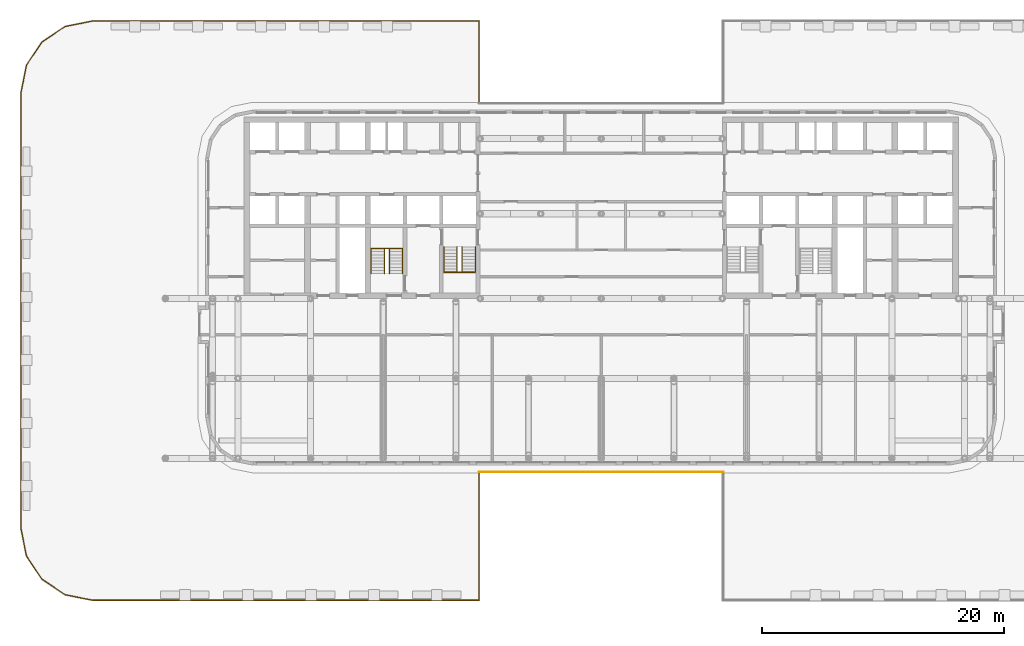
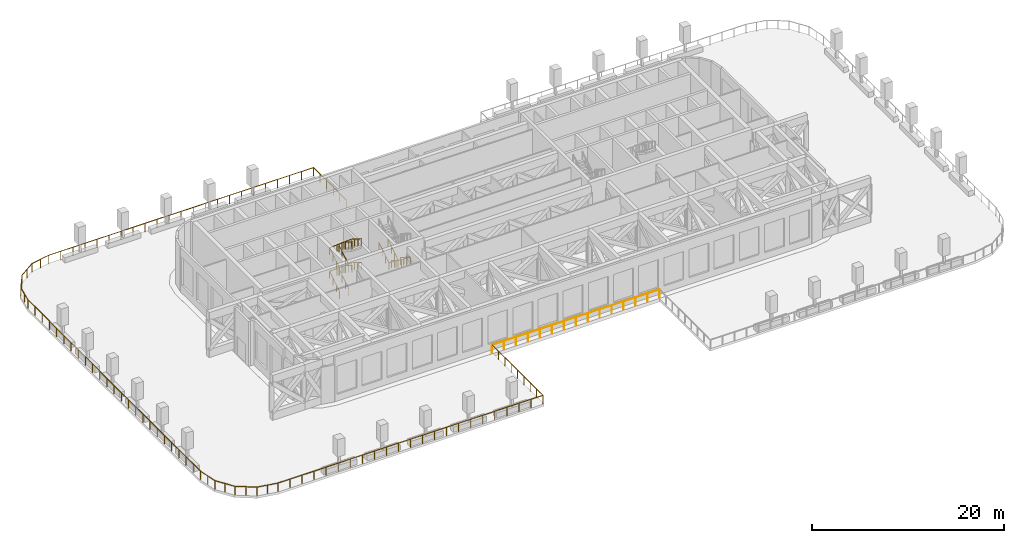
# One storey, part 17 of 20: 8 railings.
"""IFC4 building model written with IfcOpenShell, lengths in metres."""

from ifc_helpers import new_model, si_unit, direction, frame, origin, origin_2d, place, context, subcontext, project, spatial, circle, extrude, material, type_object, element, save


model = new_model("IFC4")

# Units and contexts
model_context = context("Model", 3, precision=1e-05, world=origin(), true_north=direction((0.0, 1.0)))
body_context = subcontext(model_context, "Body", "Model", "MODEL_VIEW")
ifc_project = project(units=[si_unit("LENGTHUNIT", "METRE"), si_unit("AREAUNIT", "SQUARE_METRE"), si_unit("VOLUMEUNIT", "CUBIC_METRE"), si_unit("PLANEANGLEUNIT", "RADIAN"), si_unit("MASSUNIT", "GRAM", prefix="KILO")], contexts=[model_context])

# Site, building, storey
site_placement = place(None, origin())
site = spatial("IfcSite", under=ifc_project, at=site_placement, CompositionType="ELEMENT")
building_placement = place(site_placement, origin())
building = spatial("IfcBuilding", under=site, at=building_placement, Name="Torana Hotel and Residences", CompositionType="ELEMENT")
storey_placement = place(building_placement, frame((0.0, 0.0, 18.0)))
storey = spatial("IfcBuildingStorey", under=building, at=storey_placement, Name="L03", CompositionType="ELEMENT", Elevation=18.0)

# Railings
ifc_material_1 = material(Name="Laminated glass balustrade with black handrail", Category="glass")
railing_type_1 = type_object("IfcRailingType", Name="GR1 BALCONY GUARD 1100 GLASS", PredefinedType="GUARDRAIL", material=ifc_material_1)
railing_1_placement = place(storey_placement, frame((-10.080078125, -29.321044921875, 0.0)))
element("IfcRailing", 1, at=railing_1_placement, inside=storey, type_object=railing_type_1, Name="Terrace guard L03 1", PredefinedType="GUARDRAIL", context=body_context, shape_type="SweptSolid", body=[
    extrude(circle(Radius=0.02392578125, at=origin_2d()), frame((0.0, 0.0, 1.076171875), z_axis=(0.0, -1.0, 0.0), x_axis=(1.0, 0.0, 0.0)), (0.0, 0.0, 1.0), 10.598876953125),
    extrude(circle(Radius=0.02392578125, at=origin_2d()), frame((0.0, -10.598876953125, 1.076171875), z_axis=(-1.0, 0.0, 0.0), x_axis=(0.0, -1.0, 0.0)), (0.0, 0.0, 1.0), 31.912109375),
    extrude(circle(Radius=0.02392578125, at=origin_2d()), frame((-31.912109375, -10.598876953125, 1.076171875), z_axis=(-0.980798890488, 0.195021887023, 0.0), x_axis=(-0.195021887023, -0.980798890488, 0.0)), (0.0, 0.0, 1.0), 2.317138671875),
    extrude(circle(Radius=0.02392578125, at=origin_2d()), frame((-34.184814453125, -10.14697265625, 1.076171875), z_axis=(-0.831399124079, 0.555675711617, 0.0), x_axis=(-0.555675711617, -0.831399124079, 0.0)), (0.0, 0.0, 1.0), 2.309326171875),
    extrude(circle(Radius=0.02392578125, at=origin_2d()), frame((-36.104736328125, -8.86376953125, 1.076171875), z_axis=(-0.555675711617, 0.831399124079, 0.0), x_axis=(-0.831399124079, -0.555675711617, 0.0)), (0.0, 0.0, 1.0), 2.309326171875),
    extrude(circle(Radius=0.02392578125, at=origin_2d()), frame((-37.387939453125, -6.94384765625, 1.076171875), z_axis=(-0.195021887023, 0.980798890488, 0.0), x_axis=(-0.980798890488, -0.195021887023, 0.0)), (0.0, 0.0, 1.0), 2.317138671875),
    extrude(circle(Radius=0.02392578125, at=origin_2d()), frame((-37.83984375, -4.671142578125, 1.076171875), z_axis=(0.0, 1.0, 0.0), x_axis=(-1.0, 0.0, 0.0)), (0.0, 0.0, 1.0), 35.984375),
    extrude(circle(Radius=0.02392578125, at=origin_2d()), frame((-37.83984375, 31.313232421875, 1.076171875), z_axis=(0.195021887023, 0.980798890488, 0.0), x_axis=(-0.980798890488, 0.195021887023, 0.0)), (0.0, 0.0, 1.0), 2.317138671875),
    extrude(circle(Radius=0.02392578125, at=origin_2d()), frame((-37.387939453125, 33.5859375, 1.076171875), z_axis=(0.555675711617, 0.831399124079, 0.0), x_axis=(-0.831399124079, 0.555675711617, 0.0)), (0.0, 0.0, 1.0), 2.309326171875),
    extrude(circle(Radius=0.02392578125, at=origin_2d()), frame((-36.104736328125, 35.505859375, 1.076171875), z_axis=(0.831399124079, 0.555675711617, 0.0), x_axis=(-0.555675711617, 0.831399124079, 0.0)), (0.0, 0.0, 1.0), 2.309326171875),
    extrude(circle(Radius=0.02392578125, at=origin_2d()), frame((-34.184814453125, 36.7890625, 1.076171875), z_axis=(0.980798890488, 0.195021887023, 0.0), x_axis=(-0.195021887023, 0.980798890488, 0.0)), (0.0, 0.0, 1.0), 2.317138671875),
    extrude(circle(Radius=0.02392578125, at=origin_2d()), frame((-31.912109375, 37.240966796875, 1.076171875), z_axis=(1.0, 0.0, 0.0), x_axis=(0.0, 1.0, 0.0)), (0.0, 0.0, 1.0), 31.912109375),
    extrude(circle(Radius=0.02392578125, at=origin_2d()), frame((0.0, 37.240966796875, 1.076171875), z_axis=(0.0, -1.0, 0.0), x_axis=(1.0, 0.0, 0.0)), (0.0, 0.0, 1.0), 6.798828125),
    extrude(circle(Radius=0.02099609375, at=origin_2d()), origin(), (0.0, 0.0, 1.0), 1.052001953125),
    extrude(circle(Radius=0.02099609375, at=origin_2d()), frame((0.0, -1.324951171875, 0.0)), (0.0, 0.0, 1.0), 1.052001953125),
    extrude(circle(Radius=0.02099609375, at=origin_2d()), frame((0.0, -2.649658203125, 0.0)), (0.0, 0.0, 1.0), 1.052001953125),
    extrude(circle(Radius=0.02099609375, at=origin_2d()), frame((0.0, -3.974609375, 0.0)), (0.0, 0.0, 1.0), 1.052001953125),
    extrude(circle(Radius=0.02099609375, at=origin_2d()), frame((0.0, -5.29931640625, 0.0)), (0.0, 0.0, 1.0), 1.052001953125),
    extrude(circle(Radius=0.02099609375, at=origin_2d()), frame((0.0, -6.624267578125, 0.0)), (0.0, 0.0, 1.0), 1.052001953125),
    extrude(circle(Radius=0.02099609375, at=origin_2d()), frame((0.0, -7.94921875, 0.0)), (0.0, 0.0, 1.0), 1.052001953125),
    extrude(circle(Radius=0.02099609375, at=origin_2d()), frame((0.0, -9.27392578125, 0.0)), (0.0, 0.0, 1.0), 1.052001953125),
    extrude(circle(Radius=0.02099609375, at=origin_2d()), frame((0.0, -10.598876953125, 0.0)), (0.0, 0.0, 1.0), 1.052001953125),
    extrude(circle(Radius=0.02099609375, at=origin_2d()), frame((-1.450439453125, -10.598876953125, 0.0)), (0.0, 0.0, 1.0), 1.052001953125),
    extrude(circle(Radius=0.02099609375, at=origin_2d()), frame((-2.901123046875, -10.598876953125, 0.0)), (0.0, 0.0, 1.0), 1.052001953125),
    extrude(circle(Radius=0.02099609375, at=origin_2d()), frame((-4.3515625, -10.598876953125, 0.0)), (0.0, 0.0, 1.0), 1.052001953125),
    extrude(circle(Radius=0.02099609375, at=origin_2d()), frame((-5.80224609375, -10.598876953125, 0.0)), (0.0, 0.0, 1.0), 1.052001953125),
    extrude(circle(Radius=0.02099609375, at=origin_2d()), frame((-7.252685546875, -10.598876953125, 0.0)), (0.0, 0.0, 1.0), 1.052001953125),
    extrude(circle(Radius=0.02099609375, at=origin_2d()), frame((-8.703369140625, -10.598876953125, 0.0)), (0.0, 0.0, 1.0), 1.052001953125),
    extrude(circle(Radius=0.02099609375, at=origin_2d()), frame((-10.15380859375, -10.598876953125, 0.0)), (0.0, 0.0, 1.0), 1.052001953125),
    extrude(circle(Radius=0.02099609375, at=origin_2d()), frame((-11.6044921875, -10.598876953125, 0.0)), (0.0, 0.0, 1.0), 1.052001953125),
    extrude(circle(Radius=0.02099609375, at=origin_2d()), frame((-13.054931640625, -10.598876953125, 0.0)), (0.0, 0.0, 1.0), 1.052001953125),
    extrude(circle(Radius=0.02099609375, at=origin_2d()), frame((-14.505615234375, -10.598876953125, 0.0)), (0.0, 0.0, 1.0), 1.052001953125),
    extrude(circle(Radius=0.02099609375, at=origin_2d()), frame((-15.9560546875, -10.598876953125, 0.0)), (0.0, 0.0, 1.0), 1.052001953125),
    extrude(circle(Radius=0.02099609375, at=origin_2d()), frame((-17.406494140625, -10.598876953125, 0.0)), (0.0, 0.0, 1.0), 1.052001953125),
    extrude(circle(Radius=0.02099609375, at=origin_2d()), frame((-18.857177734375, -10.598876953125, 0.0)), (0.0, 0.0, 1.0), 1.052001953125),
    extrude(circle(Radius=0.02099609375, at=origin_2d()), frame((-20.3076171875, -10.598876953125, 0.0)), (0.0, 0.0, 1.0), 1.052001953125),
    extrude(circle(Radius=0.02099609375, at=origin_2d()), frame((-21.75830078125, -10.598876953125, 0.0)), (0.0, 0.0, 1.0), 1.052001953125),
    extrude(circle(Radius=0.02099609375, at=origin_2d()), frame((-23.208740234375, -10.598876953125, 0.0)), (0.0, 0.0, 1.0), 1.052001953125),
    extrude(circle(Radius=0.02099609375, at=origin_2d()), frame((-24.659423828125, -10.598876953125, 0.0)), (0.0, 0.0, 1.0), 1.052001953125),
    extrude(circle(Radius=0.02099609375, at=origin_2d()), frame((-26.10986328125, -10.598876953125, 0.0)), (0.0, 0.0, 1.0), 1.052001953125),
    extrude(circle(Radius=0.02099609375, at=origin_2d()), frame((-27.560546875, -10.598876953125, 0.0)), (0.0, 0.0, 1.0), 1.052001953125),
    extrude(circle(Radius=0.02099609375, at=origin_2d()), frame((-29.010986328125, -10.598876953125, 0.0)), (0.0, 0.0, 1.0), 1.052001953125),
    extrude(circle(Radius=0.02099609375, at=origin_2d()), frame((-30.461669921875, -10.598876953125, 0.0)), (0.0, 0.0, 1.0), 1.052001953125),
    extrude(circle(Radius=0.02099609375, at=origin_2d()), frame((-31.912109375, -10.598876953125, 0.0)), (0.0, 0.0, 1.0), 1.052001953125),
    extrude(circle(Radius=0.02099609375, at=origin_2d()), frame((-33.04833984375, -10.373046875, 0.0)), (0.0, 0.0, 1.0), 1.052001953125),
    extrude(circle(Radius=0.02099609375, at=origin_2d()), frame((-34.184814453125, -10.14697265625, 0.0)), (0.0, 0.0, 1.0), 1.052001953125),
    extrude(circle(Radius=0.02099609375, at=origin_2d()), frame((-35.144775390625, -9.50537109375, 0.0)), (0.0, 0.0, 1.0), 1.052001953125),
    extrude(circle(Radius=0.02099609375, at=origin_2d()), frame((-36.104736328125, -8.86376953125, 0.0)), (0.0, 0.0, 1.0), 1.052001953125),
    extrude(circle(Radius=0.02099609375, at=origin_2d()), frame((-36.746337890625, -7.90380859375, 0.0)), (0.0, 0.0, 1.0), 1.052001953125),
    extrude(circle(Radius=0.02099609375, at=origin_2d()), frame((-37.387939453125, -6.94384765625, 0.0)), (0.0, 0.0, 1.0), 1.052001953125),
    extrude(circle(Radius=0.02099609375, at=origin_2d()), frame((-37.61376953125, -5.8076171875, 0.0)), (0.0, 0.0, 1.0), 1.052001953125),
    extrude(circle(Radius=0.02099609375, at=origin_2d()), frame((-37.83984375, -4.671142578125, 0.0)), (0.0, 0.0, 1.0), 1.052001953125),
    extrude(circle(Radius=0.02099609375, at=origin_2d()), frame((-37.83984375, -3.171875, 0.0)), (0.0, 0.0, 1.0), 1.052001953125),
    extrude(circle(Radius=0.02099609375, at=origin_2d()), frame((-37.83984375, -1.67236328125, 0.0)), (0.0, 0.0, 1.0), 1.052001953125),
    extrude(circle(Radius=0.02099609375, at=origin_2d()), frame((-37.83984375, -0.173095703125, 0.0)), (0.0, 0.0, 1.0), 1.052001953125),
    extrude(circle(Radius=0.02099609375, at=origin_2d()), frame((-37.83984375, 1.326171875, 0.0)), (0.0, 0.0, 1.0), 1.052001953125),
    extrude(circle(Radius=0.02099609375, at=origin_2d()), frame((-37.83984375, 2.82568359375, 0.0)), (0.0, 0.0, 1.0), 1.052001953125),
    extrude(circle(Radius=0.02099609375, at=origin_2d()), frame((-37.83984375, 4.324951171875, 0.0)), (0.0, 0.0, 1.0), 1.052001953125),
    extrude(circle(Radius=0.02099609375, at=origin_2d()), frame((-37.83984375, 5.82421875, 0.0)), (0.0, 0.0, 1.0), 1.052001953125),
    extrude(circle(Radius=0.02099609375, at=origin_2d()), frame((-37.83984375, 7.32373046875, 0.0)), (0.0, 0.0, 1.0), 1.052001953125),
    extrude(circle(Radius=0.02099609375, at=origin_2d()), frame((-37.83984375, 8.822998046875, 0.0)), (0.0, 0.0, 1.0), 1.052001953125),
    extrude(circle(Radius=0.02099609375, at=origin_2d()), frame((-37.83984375, 10.322265625, 0.0)), (0.0, 0.0, 1.0), 1.052001953125),
    extrude(circle(Radius=0.02099609375, at=origin_2d()), frame((-37.83984375, 11.82177734375, 0.0)), (0.0, 0.0, 1.0), 1.052001953125),
    extrude(circle(Radius=0.02099609375, at=origin_2d()), frame((-37.83984375, 13.321044921875, 0.0)), (0.0, 0.0, 1.0), 1.052001953125),
    extrude(circle(Radius=0.02099609375, at=origin_2d()), frame((-37.83984375, 14.8203125, 0.0)), (0.0, 0.0, 1.0), 1.052001953125),
    extrude(circle(Radius=0.02099609375, at=origin_2d()), frame((-37.83984375, 16.31982421875, 0.0)), (0.0, 0.0, 1.0), 1.052001953125),
    extrude(circle(Radius=0.02099609375, at=origin_2d()), frame((-37.83984375, 17.819091796875, 0.0)), (0.0, 0.0, 1.0), 1.052001953125),
    extrude(circle(Radius=0.02099609375, at=origin_2d()), frame((-37.83984375, 19.318359375, 0.0)), (0.0, 0.0, 1.0), 1.052001953125),
    extrude(circle(Radius=0.02099609375, at=origin_2d()), frame((-37.83984375, 20.81787109375, 0.0)), (0.0, 0.0, 1.0), 1.052001953125),
    extrude(circle(Radius=0.02099609375, at=origin_2d()), frame((-37.83984375, 22.317138671875, 0.0)), (0.0, 0.0, 1.0), 1.052001953125),
    extrude(circle(Radius=0.02099609375, at=origin_2d()), frame((-37.83984375, 23.81640625, 0.0)), (0.0, 0.0, 1.0), 1.052001953125),
    extrude(circle(Radius=0.02099609375, at=origin_2d()), frame((-37.83984375, 25.31591796875, 0.0)), (0.0, 0.0, 1.0), 1.052001953125),
    extrude(circle(Radius=0.02099609375, at=origin_2d()), frame((-37.83984375, 26.815185546875, 0.0)), (0.0, 0.0, 1.0), 1.052001953125),
    extrude(circle(Radius=0.02099609375, at=origin_2d()), frame((-37.83984375, 28.314453125, 0.0)), (0.0, 0.0, 1.0), 1.052001953125),
    extrude(circle(Radius=0.02099609375, at=origin_2d()), frame((-37.83984375, 29.81396484375, 0.0)), (0.0, 0.0, 1.0), 1.052001953125),
    extrude(circle(Radius=0.02099609375, at=origin_2d()), frame((-37.83984375, 31.313232421875, 0.0)), (0.0, 0.0, 1.0), 1.052001953125),
    extrude(circle(Radius=0.02099609375, at=origin_2d()), frame((-37.61376953125, 32.44970703125, 0.0)), (0.0, 0.0, 1.0), 1.052001953125),
    extrude(circle(Radius=0.02099609375, at=origin_2d()), frame((-37.387939453125, 33.5859375, 0.0)), (0.0, 0.0, 1.0), 1.052001953125),
    extrude(circle(Radius=0.02099609375, at=origin_2d()), frame((-36.746337890625, 34.5458984375, 0.0)), (0.0, 0.0, 1.0), 1.052001953125),
    extrude(circle(Radius=0.02099609375, at=origin_2d()), frame((-36.104736328125, 35.505859375, 0.0)), (0.0, 0.0, 1.0), 1.052001953125),
    extrude(circle(Radius=0.02099609375, at=origin_2d()), frame((-35.144775390625, 36.1474609375, 0.0)), (0.0, 0.0, 1.0), 1.052001953125),
    extrude(circle(Radius=0.02099609375, at=origin_2d()), frame((-34.184814453125, 36.7890625, 0.0)), (0.0, 0.0, 1.0), 1.052001953125),
    extrude(circle(Radius=0.02099609375, at=origin_2d()), frame((-33.04833984375, 37.01513671875, 0.0)), (0.0, 0.0, 1.0), 1.052001953125),
    extrude(circle(Radius=0.02099609375, at=origin_2d()), frame((-31.912109375, 37.240966796875, 0.0)), (0.0, 0.0, 1.0), 1.052001953125),
    extrude(circle(Radius=0.02099609375, at=origin_2d()), frame((-30.461669921875, 37.240966796875, 0.0)), (0.0, 0.0, 1.0), 1.052001953125),
    extrude(circle(Radius=0.02099609375, at=origin_2d()), frame((-29.010986328125, 37.240966796875, 0.0)), (0.0, 0.0, 1.0), 1.052001953125),
    extrude(circle(Radius=0.02099609375, at=origin_2d()), frame((-27.560546875, 37.240966796875, 0.0)), (0.0, 0.0, 1.0), 1.052001953125),
    extrude(circle(Radius=0.02099609375, at=origin_2d()), frame((-26.10986328125, 37.240966796875, 0.0)), (0.0, 0.0, 1.0), 1.052001953125),
    extrude(circle(Radius=0.02099609375, at=origin_2d()), frame((-24.659423828125, 37.240966796875, 0.0)), (0.0, 0.0, 1.0), 1.052001953125),
    extrude(circle(Radius=0.02099609375, at=origin_2d()), frame((-23.208740234375, 37.240966796875, 0.0)), (0.0, 0.0, 1.0), 1.052001953125),
    extrude(circle(Radius=0.02099609375, at=origin_2d()), frame((-21.75830078125, 37.240966796875, 0.0)), (0.0, 0.0, 1.0), 1.052001953125),
    extrude(circle(Radius=0.02099609375, at=origin_2d()), frame((-20.3076171875, 37.240966796875, 0.0)), (0.0, 0.0, 1.0), 1.052001953125),
    extrude(circle(Radius=0.02099609375, at=origin_2d()), frame((-18.857177734375, 37.240966796875, 0.0)), (0.0, 0.0, 1.0), 1.052001953125),
    extrude(circle(Radius=0.02099609375, at=origin_2d()), frame((-17.406494140625, 37.240966796875, 0.0)), (0.0, 0.0, 1.0), 1.052001953125),
    extrude(circle(Radius=0.02099609375, at=origin_2d()), frame((-15.9560546875, 37.240966796875, 0.0)), (0.0, 0.0, 1.0), 1.052001953125),
    extrude(circle(Radius=0.02099609375, at=origin_2d()), frame((-14.505615234375, 37.240966796875, 0.0)), (0.0, 0.0, 1.0), 1.052001953125),
    extrude(circle(Radius=0.02099609375, at=origin_2d()), frame((-13.054931640625, 37.240966796875, 0.0)), (0.0, 0.0, 1.0), 1.052001953125),
    extrude(circle(Radius=0.02099609375, at=origin_2d()), frame((-11.6044921875, 37.240966796875, 0.0)), (0.0, 0.0, 1.0), 1.052001953125),
    extrude(circle(Radius=0.02099609375, at=origin_2d()), frame((-10.15380859375, 37.240966796875, 0.0)), (0.0, 0.0, 1.0), 1.052001953125),
    extrude(circle(Radius=0.02099609375, at=origin_2d()), frame((-8.703369140625, 37.240966796875, 0.0)), (0.0, 0.0, 1.0), 1.052001953125),
    extrude(circle(Radius=0.02099609375, at=origin_2d()), frame((-7.252685546875, 37.240966796875, 0.0)), (0.0, 0.0, 1.0), 1.052001953125),
    extrude(circle(Radius=0.02099609375, at=origin_2d()), frame((-5.80224609375, 37.240966796875, 0.0)), (0.0, 0.0, 1.0), 1.052001953125),
    extrude(circle(Radius=0.02099609375, at=origin_2d()), frame((-4.3515625, 37.240966796875, 0.0)), (0.0, 0.0, 1.0), 1.052001953125),
    extrude(circle(Radius=0.02099609375, at=origin_2d()), frame((-2.901123046875, 37.240966796875, 0.0)), (0.0, 0.0, 1.0), 1.052001953125),
    extrude(circle(Radius=0.02099609375, at=origin_2d()), frame((-1.450439453125, 37.240966796875, 0.0)), (0.0, 0.0, 1.0), 1.052001953125),
    extrude(circle(Radius=0.02099609375, at=origin_2d()), frame((0.0, 37.240966796875, 0.0)), (0.0, 0.0, 1.0), 1.052001953125),
    extrude(circle(Radius=0.02099609375, at=origin_2d()), frame((0.0, 35.881103515625, 0.0)), (0.0, 0.0, 1.0), 1.052001953125),
    extrude(circle(Radius=0.02099609375, at=origin_2d()), frame((0.0, 34.521484375, 0.0)), (0.0, 0.0, 1.0), 1.052001953125),
    extrude(circle(Radius=0.02099609375, at=origin_2d()), frame((0.0, 33.16162109375, 0.0)), (0.0, 0.0, 1.0), 1.052001953125),
    extrude(circle(Radius=0.02099609375, at=origin_2d()), frame((0.0, 31.802001953125, 0.0)), (0.0, 0.0, 1.0), 1.052001953125),
    extrude(circle(Radius=0.02099609375, at=origin_2d()), frame((0.0, 30.442138671875, 0.0)), (0.0, 0.0, 1.0), 1.052001953125),
])
railing_2_placement = place(storey_placement, frame((10.080078125, -29.321044921875, 0.0)))
element("IfcRailing", 2, at=railing_2_placement, inside=storey, type_object=railing_type_1, Name="Ledge guard L03 2", PredefinedType="GUARDRAIL", context=body_context, shape_type="SweptSolid", body=[
    extrude(circle(Radius=0.02392578125, at=origin_2d()), frame((0.0, 0.0, 1.076171875), z_axis=(-1.0, 0.0, 0.0), x_axis=(0.0, -1.0, 0.0)), (0.0, 0.0, 1.0), 20.16015625),
    extrude(circle(Radius=0.02099609375, at=origin_2d()), origin(), (0.0, 0.0, 1.0), 1.052001953125),
    extrude(circle(Radius=0.02099609375, at=origin_2d()), frame((-1.43994140625, 0.0, 0.0)), (0.0, 0.0, 1.0), 1.052001953125),
    extrude(circle(Radius=0.02099609375, at=origin_2d()), frame((-2.880126953125, 0.0, 0.0)), (0.0, 0.0, 1.0), 1.052001953125),
    extrude(circle(Radius=0.02099609375, at=origin_2d()), frame((-4.320068359375, 0.0, 0.0)), (0.0, 0.0, 1.0), 1.052001953125),
    extrude(circle(Radius=0.02099609375, at=origin_2d()), frame((-5.760009765625, 0.0, 0.0)), (0.0, 0.0, 1.0), 1.052001953125),
    extrude(circle(Radius=0.02099609375, at=origin_2d()), frame((-7.199951171875, 0.0, 0.0)), (0.0, 0.0, 1.0), 1.052001953125),
    extrude(circle(Radius=0.02099609375, at=origin_2d()), frame((-8.64013671875, 0.0, 0.0)), (0.0, 0.0, 1.0), 1.052001953125),
    extrude(circle(Radius=0.02099609375, at=origin_2d()), frame((-10.080078125, 0.0, 0.0)), (0.0, 0.0, 1.0), 1.052001953125),
    extrude(circle(Radius=0.02099609375, at=origin_2d()), frame((-11.52001953125, 0.0, 0.0)), (0.0, 0.0, 1.0), 1.052001953125),
    extrude(circle(Radius=0.02099609375, at=origin_2d()), frame((-12.960205078125, 0.0, 0.0)), (0.0, 0.0, 1.0), 1.052001953125),
    extrude(circle(Radius=0.02099609375, at=origin_2d()), frame((-14.400146484375, 0.0, 0.0)), (0.0, 0.0, 1.0), 1.052001953125),
    extrude(circle(Radius=0.02099609375, at=origin_2d()), frame((-15.840087890625, 0.0, 0.0)), (0.0, 0.0, 1.0), 1.052001953125),
    extrude(circle(Radius=0.02099609375, at=origin_2d()), frame((-17.280029296875, 0.0, 0.0)), (0.0, 0.0, 1.0), 1.052001953125),
    extrude(circle(Radius=0.02099609375, at=origin_2d()), frame((-18.72021484375, 0.0, 0.0)), (0.0, 0.0, 1.0), 1.052001953125),
    extrude(circle(Radius=0.02099609375, at=origin_2d()), frame((-20.16015625, 0.0, 0.0)), (0.0, 0.0, 1.0), 1.052001953125),
])
ifc_material_2 = material(Name="Stainless steel 316", Category="steel")
railing_type_2 = type_object("IfcRailingType", Name="STAIR HANDRAIL HR1 900", PredefinedType="HANDRAIL", material=ifc_material_2)
railing_3_placement = place(storey_placement, frame((-10.39990234375, -10.75, 0.166748046875)))
element("IfcRailing", 3, at=railing_3_placement, inside=storey, type_object=railing_type_2, Name="Handrail ST1 L03 O1", PredefinedType="HANDRAIL", context=body_context, shape_type="SweptSolid", body=[
    extrude(circle(Radius=0.02392578125, at=origin_2d()), frame((0.0, 0.0, 0.8759765625), z_axis=(0.0, -0.841903312325, 0.539628402418), x_axis=(1.0, 0.0, 0.0)), (0.0, 0.0, 1.0), 2.470703125),
    extrude(circle(Radius=0.02392578125, at=origin_2d()), frame((0.0, -2.080078125, 2.208984375), z_axis=(-0.997949899857, 0.0, 0.063999979493), x_axis=(0.0, -1.0, 0.0)), (0.0, 0.0, 1.0), 2.60546875),
    extrude(circle(Radius=0.02392578125, at=origin_2d()), frame((-2.60009765625, -2.080078125, 2.3759765625), z_axis=(0.0, 0.841903312325, 0.539628402418), x_axis=(-1.0, 0.0, 0.0)), (0.0, 0.0, 1.0), 2.470703125),
    extrude(circle(Radius=0.02099609375, at=origin_2d()), origin(), (0.0, 0.0, 1.0), 0.851806640625),
    extrude(circle(Radius=0.02099609375, at=origin_2d()), frame((0.0, -0.693359375, 0.4443359375)), (0.0, 0.0, 1.0), 0.851806640625),
    extrude(circle(Radius=0.02099609375, at=origin_2d()), frame((0.0, -1.38671875, 0.888916015625)), (0.0, 0.0, 1.0), 0.851806640625),
    extrude(circle(Radius=0.02099609375, at=origin_2d()), frame((0.0, -2.080078125, 1.333251953125)), (0.0, 0.0, 1.0), 0.851806640625),
    extrude(circle(Radius=0.02099609375, at=origin_2d()), frame((-0.86669921875, -2.080078125, 1.388916015625)), (0.0, 0.0, 1.0), 0.851806640625),
    extrude(circle(Radius=0.02099609375, at=origin_2d()), frame((-1.7333984375, -2.080078125, 1.4443359375)), (0.0, 0.0, 1.0), 0.851806640625),
    extrude(circle(Radius=0.02099609375, at=origin_2d()), frame((-2.60009765625, -2.080078125, 1.5)), (0.0, 0.0, 1.0), 0.851806640625),
    extrude(circle(Radius=0.02099609375, at=origin_2d()), frame((-2.60009765625, -1.38671875, 1.9443359375)), (0.0, 0.0, 1.0), 0.851806640625),
    extrude(circle(Radius=0.02099609375, at=origin_2d()), frame((-2.60009765625, -0.693359375, 2.388916015625)), (0.0, 0.0, 1.0), 0.851806640625),
    extrude(circle(Radius=0.02099609375, at=origin_2d()), frame((-2.60009765625, 0.0, 2.833251953125)), (0.0, 0.0, 1.0), 0.851806640625),
])
railing_4_placement = place(storey_placement, frame((-11.5, -10.75, 0.166748046875)))
element("IfcRailing", 4, at=railing_4_placement, inside=storey, type_object=railing_type_2, Name="Handrail ST1 L03 I1", PredefinedType="HANDRAIL", context=body_context, shape_type="SweptSolid", body=[
    extrude(circle(Radius=0.02392578125, at=origin_2d()), frame((0.0, 0.0, 0.8759765625), z_axis=(0.0, -0.841903312325, 0.539628402418), x_axis=(1.0, 0.0, 0.0)), (0.0, 0.0, 1.0), 2.470703125),
    extrude(circle(Radius=0.02392578125, at=origin_2d()), frame((0.0, -2.080078125, 2.208984375), z_axis=(-0.922976866191, 0.0, 0.384855433216), x_axis=(0.0, -1.0, 0.0)), (0.0, 0.0, 1.0), 0.433349609375),
    extrude(circle(Radius=0.02392578125, at=origin_2d()), frame((-0.39990234375, -2.080078125, 2.3759765625), z_axis=(0.0, 0.841903312325, 0.539628402418), x_axis=(-1.0, 0.0, 0.0)), (0.0, 0.0, 1.0), 2.470703125),
    extrude(circle(Radius=0.02099609375, at=origin_2d()), origin(), (0.0, 0.0, 1.0), 0.851806640625),
    extrude(circle(Radius=0.02099609375, at=origin_2d()), frame((0.0, -0.693359375, 0.4443359375)), (0.0, 0.0, 1.0), 0.851806640625),
    extrude(circle(Radius=0.02099609375, at=origin_2d()), frame((0.0, -1.38671875, 0.888916015625)), (0.0, 0.0, 1.0), 0.851806640625),
    extrude(circle(Radius=0.02099609375, at=origin_2d()), frame((0.0, -2.080078125, 1.333251953125)), (0.0, 0.0, 1.0), 0.851806640625),
    extrude(circle(Radius=0.02099609375, at=origin_2d()), frame((-0.39990234375, -2.080078125, 1.5)), (0.0, 0.0, 1.0), 0.851806640625),
    extrude(circle(Radius=0.02099609375, at=origin_2d()), frame((-0.39990234375, -1.38671875, 1.9443359375)), (0.0, 0.0, 1.0), 0.851806640625),
    extrude(circle(Radius=0.02099609375, at=origin_2d()), frame((-0.39990234375, -0.693359375, 2.388916015625)), (0.0, 0.0, 1.0), 0.851806640625),
    extrude(circle(Radius=0.02099609375, at=origin_2d()), frame((-0.39990234375, 0.0, 2.833251953125)), (0.0, 0.0, 1.0), 0.851806640625),
])
railing_5_placement = place(storey_placement, frame((-19.0, -12.949951171875, 0.166748046875)))
element("IfcRailing", 5, at=railing_5_placement, inside=storey, type_object=railing_type_2, Name="Handrail ST2 L03 O1", PredefinedType="HANDRAIL", context=body_context, shape_type="SweptSolid", body=[
    extrude(circle(Radius=0.02392578125, at=origin_2d()), frame((0.0, 0.0, 0.8759765625), z_axis=(0.0, 0.84187453394, 0.539673298491), x_axis=(-1.0, 0.0, 0.0)), (0.0, 0.0, 1.0), 2.470458984375),
    extrude(circle(Radius=0.02392578125, at=origin_2d()), frame((0.0, 2.079833984375, 2.208984375), z_axis=(0.997949899857, 0.0, 0.063999979493), x_axis=(0.0, 1.0, 0.0)), (0.0, 0.0, 1.0), 2.60546875),
    extrude(circle(Radius=0.02392578125, at=origin_2d()), frame((2.60009765625, 2.079833984375, 2.3759765625), z_axis=(0.0, -0.84187453394, 0.539673298491), x_axis=(1.0, 0.0, 0.0)), (0.0, 0.0, 1.0), 2.470458984375),
    extrude(circle(Radius=0.02099609375, at=origin_2d()), origin(), (0.0, 0.0, 1.0), 0.851806640625),
    extrude(circle(Radius=0.02099609375, at=origin_2d()), frame((0.0, 0.693359375, 0.4443359375)), (0.0, 0.0, 1.0), 0.851806640625),
    extrude(circle(Radius=0.02099609375, at=origin_2d()), frame((0.0, 1.386474609375, 0.888916015625)), (0.0, 0.0, 1.0), 0.851806640625),
    extrude(circle(Radius=0.02099609375, at=origin_2d()), frame((0.0, 2.079833984375, 1.333251953125)), (0.0, 0.0, 1.0), 0.851806640625),
    extrude(circle(Radius=0.02099609375, at=origin_2d()), frame((0.86669921875, 2.079833984375, 1.388916015625)), (0.0, 0.0, 1.0), 0.851806640625),
    extrude(circle(Radius=0.02099609375, at=origin_2d()), frame((1.7333984375, 2.079833984375, 1.4443359375)), (0.0, 0.0, 1.0), 0.851806640625),
    extrude(circle(Radius=0.02099609375, at=origin_2d()), frame((2.60009765625, 2.079833984375, 1.5)), (0.0, 0.0, 1.0), 0.851806640625),
    extrude(circle(Radius=0.02099609375, at=origin_2d()), frame((2.60009765625, 1.386474609375, 1.9443359375)), (0.0, 0.0, 1.0), 0.851806640625),
    extrude(circle(Radius=0.02099609375, at=origin_2d()), frame((2.60009765625, 0.693359375, 2.388916015625)), (0.0, 0.0, 1.0), 0.851806640625),
    extrude(circle(Radius=0.02099609375, at=origin_2d()), frame((2.60009765625, 0.0, 2.833251953125)), (0.0, 0.0, 1.0), 0.851806640625),
])
railing_6_placement = place(storey_placement, frame((-17.89990234375, -12.949951171875, 0.166748046875)))
element("IfcRailing", 6, at=railing_6_placement, inside=storey, type_object=railing_type_2, Name="Handrail ST2 L03 I1", PredefinedType="HANDRAIL", context=body_context, shape_type="SweptSolid", body=[
    extrude(circle(Radius=0.02392578125, at=origin_2d()), frame((0.0, 0.0, 0.8759765625), z_axis=(0.0, 0.84187453394, 0.539673298491), x_axis=(-1.0, 0.0, 0.0)), (0.0, 0.0, 1.0), 2.470458984375),
    extrude(circle(Radius=0.02392578125, at=origin_2d()), frame((0.0, 2.079833984375, 2.208984375), z_axis=(0.922976866191, 0.0, 0.384855433216), x_axis=(0.0, 1.0, 0.0)), (0.0, 0.0, 1.0), 0.433349609375),
    extrude(circle(Radius=0.02392578125, at=origin_2d()), frame((0.39990234375, 2.079833984375, 2.3759765625), z_axis=(0.0, -0.84187453394, 0.539673298491), x_axis=(1.0, 0.0, 0.0)), (0.0, 0.0, 1.0), 2.470458984375),
    extrude(circle(Radius=0.02099609375, at=origin_2d()), origin(), (0.0, 0.0, 1.0), 0.851806640625),
    extrude(circle(Radius=0.02099609375, at=origin_2d()), frame((0.0, 0.693359375, 0.4443359375)), (0.0, 0.0, 1.0), 0.851806640625),
    extrude(circle(Radius=0.02099609375, at=origin_2d()), frame((0.0, 1.386474609375, 0.888916015625)), (0.0, 0.0, 1.0), 0.851806640625),
    extrude(circle(Radius=0.02099609375, at=origin_2d()), frame((0.0, 2.079833984375, 1.333251953125)), (0.0, 0.0, 1.0), 0.851806640625),
    extrude(circle(Radius=0.02099609375, at=origin_2d()), frame((0.39990234375, 2.079833984375, 1.5)), (0.0, 0.0, 1.0), 0.851806640625),
    extrude(circle(Radius=0.02099609375, at=origin_2d()), frame((0.39990234375, 1.386474609375, 1.9443359375)), (0.0, 0.0, 1.0), 0.851806640625),
    extrude(circle(Radius=0.02099609375, at=origin_2d()), frame((0.39990234375, 0.693359375, 2.388916015625)), (0.0, 0.0, 1.0), 0.851806640625),
    extrude(circle(Radius=0.02099609375, at=origin_2d()), frame((0.39990234375, 0.0, 2.833251953125)), (0.0, 0.0, 1.0), 0.851806640625),
])
railing_7_placement = place(storey_placement, frame((-19.0, -12.949951171875, 3.166748046875)))
element("IfcRailing", 7, at=railing_7_placement, inside=storey, type_object=railing_type_2, Name="Handrail ST2 L03 O2", PredefinedType="HANDRAIL", context=body_context, shape_type="SweptSolid", body=[
    extrude(circle(Radius=0.02392578125, at=origin_2d()), frame((0.0, 0.0, 0.8759765625), z_axis=(0.0, 0.84187453394, 0.539673298491), x_axis=(-1.0, 0.0, 0.0)), (0.0, 0.0, 1.0), 2.470458984375),
    extrude(circle(Radius=0.02392578125, at=origin_2d()), frame((0.0, 2.079833984375, 2.208984375), z_axis=(0.997949899857, 0.0, 0.063999979493), x_axis=(0.0, 1.0, 0.0)), (0.0, 0.0, 1.0), 2.60546875),
    extrude(circle(Radius=0.02392578125, at=origin_2d()), frame((2.60009765625, 2.079833984375, 2.3759765625), z_axis=(0.0, -0.84187453394, 0.539673298491), x_axis=(1.0, 0.0, 0.0)), (0.0, 0.0, 1.0), 2.470458984375),
    extrude(circle(Radius=0.02099609375, at=origin_2d()), origin(), (0.0, 0.0, 1.0), 0.851806640625),
    extrude(circle(Radius=0.02099609375, at=origin_2d()), frame((0.0, 0.693359375, 0.4443359375)), (0.0, 0.0, 1.0), 0.851806640625),
    extrude(circle(Radius=0.02099609375, at=origin_2d()), frame((0.0, 1.386474609375, 0.888916015625)), (0.0, 0.0, 1.0), 0.851806640625),
    extrude(circle(Radius=0.02099609375, at=origin_2d()), frame((0.0, 2.079833984375, 1.333251953125)), (0.0, 0.0, 1.0), 0.851806640625),
    extrude(circle(Radius=0.02099609375, at=origin_2d()), frame((0.86669921875, 2.079833984375, 1.388916015625)), (0.0, 0.0, 1.0), 0.851806640625),
    extrude(circle(Radius=0.02099609375, at=origin_2d()), frame((1.7333984375, 2.079833984375, 1.4443359375)), (0.0, 0.0, 1.0), 0.851806640625),
    extrude(circle(Radius=0.02099609375, at=origin_2d()), frame((2.60009765625, 2.079833984375, 1.5)), (0.0, 0.0, 1.0), 0.851806640625),
    extrude(circle(Radius=0.02099609375, at=origin_2d()), frame((2.60009765625, 1.386474609375, 1.9443359375)), (0.0, 0.0, 1.0), 0.851806640625),
    extrude(circle(Radius=0.02099609375, at=origin_2d()), frame((2.60009765625, 0.693359375, 2.388916015625)), (0.0, 0.0, 1.0), 0.851806640625),
    extrude(circle(Radius=0.02099609375, at=origin_2d()), frame((2.60009765625, 0.0, 2.833251953125)), (0.0, 0.0, 1.0), 0.851806640625),
])
railing_8_placement = place(storey_placement, frame((-17.89990234375, -12.949951171875, 3.166748046875)))
element("IfcRailing", 8, at=railing_8_placement, inside=storey, type_object=railing_type_2, Name="Handrail ST2 L03 I2", PredefinedType="HANDRAIL", context=body_context, shape_type="SweptSolid", body=[
    extrude(circle(Radius=0.02392578125, at=origin_2d()), frame((0.0, 0.0, 0.8759765625), z_axis=(0.0, 0.84187453394, 0.539673298491), x_axis=(-1.0, 0.0, 0.0)), (0.0, 0.0, 1.0), 2.470458984375),
    extrude(circle(Radius=0.02392578125, at=origin_2d()), frame((0.0, 2.079833984375, 2.208984375), z_axis=(0.922976866191, 0.0, 0.384855433216), x_axis=(0.0, 1.0, 0.0)), (0.0, 0.0, 1.0), 0.433349609375),
    extrude(circle(Radius=0.02392578125, at=origin_2d()), frame((0.39990234375, 2.079833984375, 2.3759765625), z_axis=(0.0, -0.84187453394, 0.539673298491), x_axis=(1.0, 0.0, 0.0)), (0.0, 0.0, 1.0), 2.470458984375),
    extrude(circle(Radius=0.02099609375, at=origin_2d()), origin(), (0.0, 0.0, 1.0), 0.851806640625),
    extrude(circle(Radius=0.02099609375, at=origin_2d()), frame((0.0, 0.693359375, 0.4443359375)), (0.0, 0.0, 1.0), 0.851806640625),
    extrude(circle(Radius=0.02099609375, at=origin_2d()), frame((0.0, 1.386474609375, 0.888916015625)), (0.0, 0.0, 1.0), 0.851806640625),
    extrude(circle(Radius=0.02099609375, at=origin_2d()), frame((0.0, 2.079833984375, 1.333251953125)), (0.0, 0.0, 1.0), 0.851806640625),
    extrude(circle(Radius=0.02099609375, at=origin_2d()), frame((0.39990234375, 2.079833984375, 1.5)), (0.0, 0.0, 1.0), 0.851806640625),
    extrude(circle(Radius=0.02099609375, at=origin_2d()), frame((0.39990234375, 1.386474609375, 1.9443359375)), (0.0, 0.0, 1.0), 0.851806640625),
    extrude(circle(Radius=0.02099609375, at=origin_2d()), frame((0.39990234375, 0.693359375, 2.388916015625)), (0.0, 0.0, 1.0), 0.851806640625),
    extrude(circle(Radius=0.02099609375, at=origin_2d()), frame((0.39990234375, 0.0, 2.833251953125)), (0.0, 0.0, 1.0), 0.851806640625),
])

save(model, "model.ifc")
